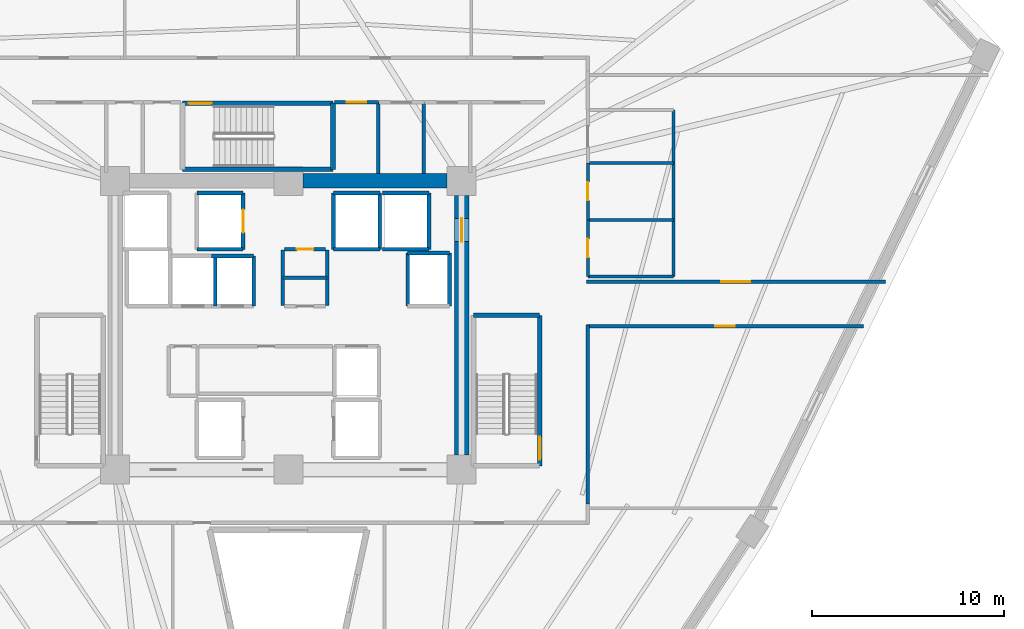
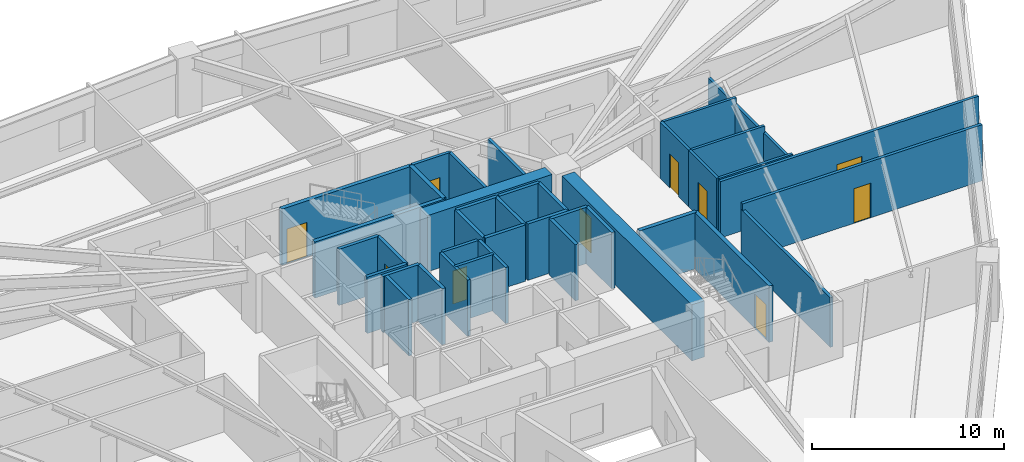
# One storey, part 6 of 9: 39 walls, 10 doors, 10 openings.
"""IFC4 building model written with IfcOpenShell, lengths in metres."""

from ifc_helpers import new_model, si_unit, direction, frame, frame_2d, origin, place, context, subcontext, project, spatial, rectangle, extrude, source, transform, mapped, material, layer, layer_set, type_object, element, fill, save


model = new_model("IFC4")

# Units and contexts
model_context = context("Model", 3, precision=1e-05, world=origin(), true_north=direction((0.0, 1.0)))
body_context = subcontext(model_context, "Body", "Model", "MODEL_VIEW")
ifc_project = project(units=[si_unit("LENGTHUNIT", "METRE"), si_unit("AREAUNIT", "SQUARE_METRE"), si_unit("VOLUMEUNIT", "CUBIC_METRE"), si_unit("PLANEANGLEUNIT", "RADIAN"), si_unit("MASSUNIT", "GRAM", prefix="KILO")], contexts=[model_context])

# Site, building, storey
site_placement = place(None, origin())
site = spatial("IfcSite", under=ifc_project, at=site_placement, CompositionType="ELEMENT")
building_placement = place(site_placement, origin())
building = spatial("IfcBuilding", under=site, at=building_placement, Name="Liaohun Quay Tower", CompositionType="ELEMENT")
storey_placement = place(building_placement, frame((0.0, 0.0, 132.0)))
storey = spatial("IfcBuildingStorey", under=building, at=storey_placement, Name="L34", CompositionType="ELEMENT", Elevation=132.0)

# Wall
ifc_material_1 = material(Name="Concrete C60", Category="concrete")
ifc_layer_1 = layer(ifc_material_1, 0.75, Name="Concrete C60", Category="concrete")
ifc_layer_set_1 = layer_set([ifc_layer_1], Name="Concrete C60")
wall_type_1 = type_object("IfcWallType", Name="WAL-COR-Z2", PredefinedType="SHEAR", material=ifc_layer_set_1)
wall_1_placement = place(storey_placement, frame((60.75, 61.5, 0.0), z_axis=(0.0, 0.0, 1.0), x_axis=(1.0, 0.0, 0.0)))
element("IfcWall", 1, at=wall_1_placement, inside=storey, type_object=wall_type_1, Name="L34 Central Core Shear Wall N-E", PredefinedType="SHEAR", context=body_context, shape_type="SweptSolid", body=[
    extrude(rectangle(XDim=7.5, YDim=0.75, at=frame_2d((3.75, 0.0))), origin(), (0.0, 0.0, 1.0), 3.570068359375),
])

# Wall, opening, door
wall_2_placement = place(storey_placement, frame((69.0, 60.75, 0.0), z_axis=(0.0, 0.0, 1.0), x_axis=(0.0, -1.0, 0.0)))
wall_2 = element("IfcWall", 2, at=wall_2_placement, inside=storey, type_object=wall_type_1, Name="L34 Central Core Shear Wall E", PredefinedType="SHEAR", context=body_context, shape_type="SweptSolid", body=[
    extrude(rectangle(XDim=13.5, YDim=0.75, at=frame_2d((6.75, 0.0))), origin(), (0.0, 0.0, 1.0), 3.570068359375),
])
shared_shape_1 = source(origin(), body_context, "Body", "SweptSolid", [
    extrude(rectangle(XDim=1.199951171875, YDim=2.199951171875, at=frame_2d((0.60009765625, 1.10009765625))), frame((0.0, 0.385009765625, 0.0), z_axis=(0.0, -1.0, 0.0), x_axis=(1.0, 0.0, 0.0)), (0.0, 0.0, 1.0), 0.77001953125),
])
opening_1_placement = place(wall_2_placement, frame((1.199951171875, 0.0, 0.0)))
opening_1 = element("IfcOpeningElement", 3, at=opening_1_placement, cuts=wall_2, Name="Opening SD1", PredefinedType="OPENING", context=body_context, shape_type="MappedRepresentation", body=[
    mapped(shared_shape_1, transform((0.0, 0.0, 0.0), x_axis=(1.0, 0.0, 0.0), y_axis=(0.0, 1.0, 0.0), z_axis=(0.0, 0.0, 1.0), scale=1.0)),
])
ifc_material_2 = material(Name="Galvanised steel fire door", Category="steel")
door_type_1 = type_object("IfcDoorType", Name="DOR-STR-1200", OperationType="NOTDEFINED", PredefinedType="DOOR", material=ifc_material_2)
shared_shape_2 = source(origin(), body_context, "Body", "SweptSolid", [
    extrude(rectangle(XDim=1.199951171875, YDim=2.199951171875, at=frame_2d((0.60009765625, 1.10009765625))), frame((0.0, 0.02490234375, 0.0), z_axis=(0.0, -1.0, 0.0), x_axis=(1.0, 0.0, 0.0)), (0.0, 0.0, 1.0), 0.050048828125),
])
door_1_placement = place(opening_1_placement, origin())
door_1 = element("IfcDoor", 4, at=door_1_placement, inside=storey, type_object=door_type_1, Name="L34 North-East Core Lobby Smokeproof Door", OperationType="SINGLE_SWING_LEFT", OverallHeight=2.199951171875, OverallWidth=1.199951171875, PredefinedType="DOOR", context=body_context, shape_type="MappedRepresentation", body=[
    mapped(shared_shape_2, transform((0.0, 0.0, 0.0), x_axis=(1.0, 0.0, 0.0), y_axis=(0.0, 1.0, 0.0), z_axis=(0.0, 0.0, 1.0), scale=1.0)),
])
fill(opening_1, door_1)

ifc_material_3 = material(Name="Autoclaved aerated concrete blockwork", Category="masonry")
ifc_layer_2 = layer(ifc_material_3, 0.179931640625, Name="Autoclaved aerated concrete blockwork", Category="masonry")
ifc_layer_set_2 = layer_set([ifc_layer_2], Name="Autoclaved aerated concrete blockwork")
wall_type_2 = type_object("IfcWallType", Name="WAL-PRT-COR", PredefinedType="PARTITIONING", material=ifc_layer_set_2)
wall_3_placement = place(storey_placement, frame((59.81005859375, 57.949951171875, 0.0), z_axis=(0.0, 0.0, 1.0), x_axis=(1.0, 0.0, 0.0)))
wall_3 = element("IfcWall", 5, at=wall_3_placement, inside=storey, type_object=wall_type_2, Name="L34 Interior Partition Wall 003", PredefinedType="PARTITIONING", context=body_context, shape_type="SweptSolid", body=[
    extrude(rectangle(XDim=2.10986328125, YDim=0.179931640625, at=frame_2d((1.054931640625, 0.0))), origin(), (0.0, 0.0, 1.0), 3.570068359375),
])
shared_shape_3 = source(origin(), body_context, "Body", "SweptSolid", [
    extrude(rectangle(XDim=0.85009765625, YDim=2.10009765625, at=frame_2d((0.425048828125, 1.050048828125))), frame((0.0, 0.099853515625, 0.0), z_axis=(0.0, -1.0, 0.0), x_axis=(1.0, 0.0, 0.0)), (0.0, 0.0, 1.0), 0.199951171875),
])
opening_2_placement = place(wall_3_placement, frame((0.635009765625, 0.0, 0.0)))
opening_2 = element("IfcOpeningElement", 6, at=opening_2_placement, cuts=wall_3, Name="Opening AD1", PredefinedType="OPENING", context=body_context, shape_type="MappedRepresentation", body=[
    mapped(shared_shape_3, transform((0.0, 0.0, 0.0), x_axis=(1.0, 0.0, 0.0), y_axis=(0.0, 1.0, 0.0), z_axis=(0.0, 0.0, 1.0), scale=1.0)),
])
ifc_material_4 = material(Name="Steel riser inspection fire door", Category="steel")
door_type_2 = type_object("IfcDoorType", Name="DOR-SHF-850", OperationType="NOTDEFINED", PredefinedType="DOOR", material=ifc_material_4)
shared_shape_4 = source(origin(), body_context, "Body", "SweptSolid", [
    extrude(rectangle(XDim=0.85009765625, YDim=2.10009765625, at=frame_2d((0.425048828125, 1.050048828125))), frame((0.0, 0.02490234375, 0.0), z_axis=(0.0, -1.0, 0.0), x_axis=(1.0, 0.0, 0.0)), (0.0, 0.0, 1.0), 0.050048828125),
])
door_2_placement = place(opening_2_placement, origin())
door_2 = element("IfcDoor", 7, at=door_2_placement, inside=storey, type_object=door_type_2, Name="L34 Telecom Comms Closet Door", OperationType="SINGLE_SWING_RIGHT", OverallHeight=2.10009765625, OverallWidth=0.85009765625, PredefinedType="DOOR", context=body_context, shape_type="MappedRepresentation", body=[
    mapped(shared_shape_4, transform((0.0, 0.0, 0.0), x_axis=(1.0, 0.0, 0.0), y_axis=(0.0, 1.0, 0.0), z_axis=(0.0, 0.0, 1.0), scale=1.0)),
])
fill(opening_2, door_2)

wall_4_placement = place(storey_placement, frame((62.389892578125, 65.580078125, 0.0), z_axis=(0.0, 0.0, 1.0), x_axis=(1.0, 0.0, 0.0)))
wall_4 = element("IfcWall", 8, at=wall_4_placement, inside=storey, type_object=wall_type_2, Name="L34 Interior Partition Wall 010", PredefinedType="PARTITIONING", context=body_context, shape_type="SweptSolid", body=[
    extrude(rectangle(XDim=2.2900390625, YDim=0.179931640625, at=frame_2d((1.14501953125, 0.0))), origin(), (0.0, 0.0, 1.0), 3.570068359375),
])
shared_shape_5 = source(origin(), body_context, "Body", "SweptSolid", [
    extrude(rectangle(XDim=1.0, YDim=2.199951171875, at=frame_2d((0.5, 1.10009765625))), frame((0.0, 0.099853515625, 0.0), z_axis=(0.0, -1.0, 0.0), x_axis=(1.0, 0.0, 0.0)), (0.0, 0.0, 1.0), 0.199951171875),
])
opening_3_placement = place(wall_4_placement, frame((0.64501953125, 0.0, 0.0)))
opening_3 = element("IfcOpeningElement", 9, at=opening_3_placement, cuts=wall_4, Name="Opening OD1", PredefinedType="OPENING", context=body_context, shape_type="MappedRepresentation", body=[
    mapped(shared_shape_5, transform((0.0, 0.0, 0.0), x_axis=(1.0, 0.0, 0.0), y_axis=(0.0, 1.0, 0.0), z_axis=(0.0, 0.0, 1.0), scale=1.0)),
])
ifc_material_5 = material(Name="Solid-core oak veneer timber leaf in steel frame", Category="steel")
door_type_3 = type_object("IfcDoorType", Name="DOR-OFF-1000", OperationType="NOTDEFINED", PredefinedType="DOOR", material=ifc_material_5)
shared_shape_6 = source(origin(), body_context, "Body", "SweptSolid", [
    extrude(rectangle(XDim=1.0, YDim=2.199951171875, at=frame_2d((0.5, 1.10009765625))), frame((0.0, 0.02490234375, 0.0), z_axis=(0.0, -1.0, 0.0), x_axis=(1.0, 0.0, 0.0)), (0.0, 0.0, 1.0), 0.050048828125),
])
door_3_placement = place(opening_3_placement, origin())
door_3 = element("IfcDoor", 10, at=door_3_placement, inside=storey, type_object=door_type_3, Name="L34 North-East Mail Store Door", OperationType="SINGLE_SWING_LEFT", OverallHeight=2.199951171875, OverallWidth=1.0, PredefinedType="DOOR", context=body_context, shape_type="MappedRepresentation", body=[
    mapped(shared_shape_6, transform((0.0, 0.0, 0.0), x_axis=(1.0, 0.0, 0.0), y_axis=(0.0, 1.0, 0.0), z_axis=(0.0, 0.0, 1.0), scale=1.0)),
])
fill(opening_3, door_3)

wall_5_placement = place(storey_placement, frame((75.489990234375, 56.260009765625, 0.0), z_axis=(0.0, 0.0, 1.0), x_axis=(1.0, 0.0, 0.0)))
wall_5 = element("IfcWall", 11, at=wall_5_placement, inside=storey, type_object=wall_type_2, Name="L34 Interior Partition Wall 015", PredefinedType="PARTITIONING", context=body_context, shape_type="SweptSolid", body=[
    extrude(rectangle(XDim=15.52392578125, YDim=0.179931640625, at=frame_2d((7.761962890625, 0.0))), origin(), (0.0, 0.0, 1.0), 3.570068359375),
])
shared_shape_7 = source(origin(), body_context, "Body", "SweptSolid", [
    extrude(rectangle(XDim=1.5, YDim=2.199951171875, at=frame_2d((0.75, 1.10009765625))), frame((0.0, 0.099853515625, 0.0), z_axis=(0.0, -1.0, 0.0), x_axis=(1.0, 0.0, 0.0)), (0.0, 0.0, 1.0), 0.199951171875),
])
opening_4_placement = place(wall_5_placement, frame((7.011962890625, 0.0, 0.0)))
opening_4 = element("IfcOpeningElement", 12, at=opening_4_placement, cuts=wall_5, Name="Opening OD2", PredefinedType="OPENING", context=body_context, shape_type="MappedRepresentation", body=[
    mapped(shared_shape_7, transform((0.0, 0.0, 0.0), x_axis=(1.0, 0.0, 0.0), y_axis=(0.0, 1.0, 0.0), z_axis=(0.0, 0.0, 1.0), scale=1.0)),
])
ifc_material_6 = material(Name="Acoustic oak veneer double door")
door_type_4 = type_object("IfcDoorType", Name="DOR-OFF-1500", OperationType="DOUBLE_DOOR_SINGLE_SWING", PredefinedType="DOOR", material=ifc_material_6)
shared_shape_8 = source(origin(), body_context, "Body", "SweptSolid", [
    extrude(rectangle(XDim=1.5, YDim=2.199951171875, at=frame_2d((0.75, 1.10009765625))), frame((0.0, 0.02490234375, 0.0), z_axis=(0.0, -1.0, 0.0), x_axis=(1.0, 0.0, 0.0)), (0.0, 0.0, 1.0), 0.050048828125),
])
door_4_placement = place(opening_4_placement, origin())
door_4 = element("IfcDoor", 13, at=door_4_placement, inside=storey, type_object=door_type_4, Name="L34 Technical Reference Library 01 Door", OperationType="DOUBLE_DOOR_SINGLE_SWING", OverallHeight=2.199951171875, OverallWidth=1.5, PredefinedType="DOOR", context=body_context, shape_type="MappedRepresentation", body=[
    mapped(shared_shape_8, transform((0.0, 0.0, 0.0), x_axis=(1.0, 0.0, 0.0), y_axis=(0.0, 1.0, 0.0), z_axis=(0.0, 0.0, 1.0), scale=1.0)),
])
fill(opening_4, door_4)

wall_6_placement = place(storey_placement, frame((89.883056640625, 53.93994140625, 0.0), z_axis=(0.0, 0.0, 1.0), x_axis=(-1.0, 0.0, 0.0)))
wall_6 = element("IfcWall", 14, at=wall_6_placement, inside=storey, type_object=wall_type_2, Name="L34 Interior Partition Wall 027", PredefinedType="PARTITIONING", context=body_context, shape_type="SweptSolid", body=[
    extrude(rectangle(XDim=14.39306640625, YDim=0.179931640625, at=frame_2d((7.196533203125, 0.0))), origin(), (0.0, 0.0, 1.0), 3.570068359375),
])
opening_5_placement = place(wall_6_placement, frame((6.697021484375, 0.0, 0.0)))
opening_5 = element("IfcOpeningElement", 15, at=opening_5_placement, cuts=wall_6, Name="Opening OD1", PredefinedType="OPENING", context=body_context, shape_type="MappedRepresentation", body=[
    mapped(shared_shape_5, transform((0.0, 0.0, 0.0), x_axis=(1.0, 0.0, 0.0), y_axis=(0.0, 1.0, 0.0), z_axis=(0.0, 0.0, 1.0), scale=1.0)),
])
door_5_placement = place(opening_5_placement, origin())
door_5 = element("IfcDoor", 16, at=door_5_placement, inside=storey, type_object=door_type_3, Name="L34 Regional Advisory Office 13 Door", OperationType="SINGLE_SWING_RIGHT", OverallHeight=2.199951171875, OverallWidth=1.0, PredefinedType="DOOR", context=body_context, shape_type="MappedRepresentation", body=[
    mapped(shared_shape_6, transform((0.0, 0.0, 0.0), x_axis=(1.0, 0.0, 0.0), y_axis=(0.0, 1.0, 0.0), z_axis=(0.0, 0.0, 1.0), scale=1.0)),
])
fill(opening_5, door_5)

# Walls
for number, where, z_axis, x_axis, name in (
    (17, (59.719970703125, 55.02001953125, 0.0), (0.0, 0.0, 1.0), (0.0, 1.0, 0.0), "L34 Interior Partition Wall 028"),
    (18, (62.010009765625, 55.02001953125, 0.0), (0.0, 0.0, 1.0), (0.0, 1.0, 0.0), "L34 Interior Partition Wall 029"),
):
    element("IfcWall", number, at=place(storey_placement, frame(where, z_axis=z_axis, x_axis=x_axis)), inside=storey, type_object=wall_type_2, Name=name, PredefinedType="PARTITIONING", context=body_context, shape_type="SweptSolid", body=[
        extrude(rectangle(XDim=2.8798828125, YDim=0.179931640625, at=frame_2d((1.43994140625, 0.0))), origin(), (0.0, 0.0, 1.0), 3.570068359375),
    ])
wall_7_placement = place(storey_placement, frame((59.719970703125, 56.4599609375, 0.0), z_axis=(0.0, 0.0, 1.0), x_axis=(1.0, 0.0, 0.0)))
element("IfcWall", 19, at=wall_7_placement, inside=storey, type_object=wall_type_2, Name="L34 Interior Partition Wall 030", PredefinedType="PARTITIONING", context=body_context, shape_type="SweptSolid", body=[
    extrude(rectangle(XDim=2.2900390625, YDim=0.179931640625, at=frame_2d((1.14501953125, 0.0))), origin(), (0.0, 0.0, 1.0), 3.570068359375),
])
for number, where, z_axis, x_axis, name in (
    (20, (64.679931640625, 61.875, 0.0), (0.0, 0.0, 1.0), (0.0, 1.0, 0.0), "L34 Interior Partition Wall 041"),
    (21, (67.0400390625, 61.875, 0.0), (0.0, 0.0, 1.0), (0.0, 1.0, 0.0), "L34 Interior Partition Wall 042"),
):
    element("IfcWall", number, at=place(storey_placement, frame(where, z_axis=z_axis, x_axis=x_axis)), inside=storey, type_object=wall_type_2, Name=name, PredefinedType="PARTITIONING", context=body_context, shape_type="SweptSolid", body=[
        extrude(rectangle(XDim=3.705078125, YDim=0.179931640625, at=frame_2d((1.8525390625, 0.0))), origin(), (0.0, 0.0, 1.0), 3.570068359375),
    ])
wall_8_placement = place(storey_placement, frame((75.56005859375, 54.010009765625, 0.0), z_axis=(0.0, 0.0, 1.0), x_axis=(0.0, -1.0, 0.0)))
element("IfcWall", 22, at=wall_8_placement, inside=storey, type_object=wall_type_2, Name="L34 Interior Partition Wall 051", PredefinedType="PARTITIONING", context=body_context, shape_type="SweptSolid", body=[
    extrude(rectangle(XDim=9.294921875, YDim=0.179931640625, at=frame_2d((4.6474609375, 0.0))), origin(), (0.0, 0.0, 1.0), 3.155029296875),
])

# Wall, opening, door
ifc_material_7 = material(Name="Moisture-resistant masonry blockwork", Category="masonry")
ifc_layer_3 = layer(ifc_material_7, 0.159912109375, Name="Moisture-resistant masonry blockwork", Category="masonry")
ifc_layer_set_3 = layer_set([ifc_layer_3], Name="Moisture-resistant masonry blockwork")
wall_type_3 = type_object("IfcWallType", Name="WAL-PRT-WET", PredefinedType="PARTITIONING", material=ifc_layer_set_3)
wall_9_placement = place(storey_placement, frame((75.56005859375, 56.5400390625, 0.0), z_axis=(0.0, 0.0, 1.0), x_axis=(0.0, 1.0, 0.0)))
wall_9 = element("IfcWall", 23, at=wall_9_placement, inside=storey, type_object=wall_type_3, Name="L34 Interior Partition Wall 005", PredefinedType="PARTITIONING", context=body_context, shape_type="SweptSolid", body=[
    extrude(rectangle(XDim=2.93994140625, YDim=0.159912109375, at=frame_2d((1.469970703125, 0.0))), origin(), (0.0, 0.0, 1.0), 3.570068359375),
])
shared_shape_9 = source(origin(), body_context, "Body", "SweptSolid", [
    extrude(rectangle(XDim=0.949951171875, YDim=2.14990234375, at=frame_2d((0.47509765625, 1.074951171875))), frame((0.0, 0.08984375, 0.0), z_axis=(0.0, -1.0, 0.0), x_axis=(1.0, 0.0, 0.0)), (0.0, 0.0, 1.0), 0.179931640625),
])
opening_6_placement = place(wall_9_placement, frame((0.9951171875, 0.0, 0.0)))
opening_6 = element("IfcOpeningElement", 24, at=opening_6_placement, cuts=wall_9, Name="Opening WD1", PredefinedType="OPENING", context=body_context, shape_type="MappedRepresentation", body=[
    mapped(shared_shape_9, transform((0.0, 0.0, 0.0), x_axis=(1.0, 0.0, 0.0), y_axis=(0.0, 1.0, 0.0), z_axis=(0.0, 0.0, 1.0), scale=1.0)),
])
ifc_material_8 = material(Name="Moisture-resistant laminate timber leaf", Category="wood")
door_type_5 = type_object("IfcDoorType", Name="DOR-WC-950", OperationType="NOTDEFINED", PredefinedType="DOOR", material=ifc_material_8)
shared_shape_10 = source(origin(), body_context, "Body", "SweptSolid", [
    extrude(rectangle(XDim=0.949951171875, YDim=2.14990234375, at=frame_2d((0.47509765625, 1.074951171875))), frame((0.0, 0.02490234375, 0.0), z_axis=(0.0, -1.0, 0.0), x_axis=(1.0, 0.0, 0.0)), (0.0, 0.0, 1.0), 0.050048828125),
])
door_6_placement = place(opening_6_placement, origin())
door_6 = element("IfcDoor", 25, at=door_6_placement, inside=storey, type_object=door_type_5, Name="L34 Male Restroom WC Door", OperationType="SINGLE_SWING_RIGHT", OverallHeight=2.14990234375, OverallWidth=0.949951171875, PredefinedType="DOOR", context=body_context, shape_type="MappedRepresentation", body=[
    mapped(shared_shape_10, transform((0.0, 0.0, 0.0), x_axis=(1.0, 0.0, 0.0), y_axis=(0.0, 1.0, 0.0), z_axis=(0.0, 0.0, 1.0), scale=1.0)),
])
fill(opening_6, door_6)

wall_10_placement = place(storey_placement, frame((75.56005859375, 59.47998046875, 0.0), z_axis=(0.0, 0.0, 1.0), x_axis=(0.0, 1.0, 0.0)))
wall_10 = element("IfcWall", 26, at=wall_10_placement, inside=storey, type_object=wall_type_3, Name="L34 Interior Partition Wall 006", PredefinedType="PARTITIONING", context=body_context, shape_type="SweptSolid", body=[
    extrude(rectangle(XDim=2.9599609375, YDim=0.159912109375, at=frame_2d((1.47998046875, 0.0))), origin(), (0.0, 0.0, 1.0), 3.570068359375),
])
opening_7_placement = place(wall_10_placement, frame((1.0048828125, 0.0, 0.0)))
opening_7 = element("IfcOpeningElement", 27, at=opening_7_placement, cuts=wall_10, Name="Opening WD1", PredefinedType="OPENING", context=body_context, shape_type="MappedRepresentation", body=[
    mapped(shared_shape_9, transform((0.0, 0.0, 0.0), x_axis=(1.0, 0.0, 0.0), y_axis=(0.0, 1.0, 0.0), z_axis=(0.0, 0.0, 1.0), scale=1.0)),
])
door_7_placement = place(opening_7_placement, origin())
door_7 = element("IfcDoor", 28, at=door_7_placement, inside=storey, type_object=door_type_5, Name="L34 Female Restroom WC Door", OperationType="SINGLE_SWING_LEFT", OverallHeight=2.14990234375, OverallWidth=0.949951171875, PredefinedType="DOOR", context=body_context, shape_type="MappedRepresentation", body=[
    mapped(shared_shape_10, transform((0.0, 0.0, 0.0), x_axis=(1.0, 0.0, 0.0), y_axis=(0.0, 1.0, 0.0), z_axis=(0.0, 0.0, 1.0), scale=1.0)),
])
fill(opening_7, door_7)

# Walls
wall_11_placement = place(storey_placement, frame((80.02001953125, 56.5400390625, 0.0), z_axis=(0.0, 0.0, 1.0), x_axis=(0.0, 1.0, 0.0)))
element("IfcWall", 29, at=wall_11_placement, inside=storey, type_object=wall_type_3, Name="L34 Interior Partition Wall 034", PredefinedType="PARTITIONING", context=body_context, shape_type="SweptSolid", body=[
    extrude(rectangle(XDim=8.639892578125, YDim=0.159912109375, at=frame_2d((4.31982421875, 0.0))), origin(), (0.0, 0.0, 1.0), 3.155029296875),
])
for number, where, z_axis, x_axis, name in (
    (30, (75.56005859375, 56.5400390625, 0.0), (0.0, 0.0, 1.0), (1.0, 0.0, 0.0), "L34 Interior Partition Wall 035"),
    (31, (75.56005859375, 59.47998046875, 0.0), (0.0, 0.0, 1.0), (1.0, 0.0, 0.0), "L34 Interior Partition Wall 036"),
    (32, (75.56005859375, 62.43994140625, 0.0), (0.0, 0.0, 1.0), (1.0, 0.0, 0.0), "L34 Interior Partition Wall 037"),
):
    element("IfcWall", number, at=place(storey_placement, frame(where, z_axis=z_axis, x_axis=x_axis)), inside=storey, type_object=wall_type_3, Name=name, PredefinedType="PARTITIONING", context=body_context, shape_type="SweptSolid", body=[
        extrude(rectangle(XDim=4.4599609375, YDim=0.159912109375, at=frame_2d((2.22998046875, 0.0))), origin(), (0.0, 0.0, 1.0), 3.570068359375),
    ])

# Wall, opening, door
ifc_material_9 = material(Name="Concrete C50", Category="concrete")
ifc_layer_4 = layer(ifc_material_9, 0.239990234375, Name="Concrete C50", Category="concrete")
ifc_layer_set_4 = layer_set([ifc_layer_4], Name="Concrete C50")
wall_type_4 = type_object("IfcWallType", Name="WAL-SHF-200", PredefinedType="SOLIDWALL", material=ifc_layer_set_4)
wall_12_placement = place(storey_placement, frame((73.06005859375, 46.699951171875, 0.0), z_axis=(0.0, 0.0, 1.0), x_axis=(0.0, 1.0, 0.0)))
wall_12 = element("IfcWall", 33, at=wall_12_placement, inside=storey, type_object=wall_type_4, Name="L34 Stairwell ST-2 Structural Core Wall E", PredefinedType="SOLIDWALL", context=body_context, shape_type="SweptSolid", body=[
    extrude(rectangle(XDim=7.820068359375, YDim=0.239990234375, at=frame_2d((3.91015625, 0.0))), origin(), (0.0, 0.0, 1.0), 3.570068359375),
])
shared_shape_11 = source(origin(), body_context, "Body", "SweptSolid", [
    extrude(rectangle(XDim=1.199951171875, YDim=2.199951171875, at=frame_2d((0.60009765625, 1.10009765625))), frame((0.0, 0.1298828125, 0.0), z_axis=(0.0, -1.0, 0.0), x_axis=(1.0, 0.0, 0.0)), (0.0, 0.0, 1.0), 0.260009765625),
])
opening_8_placement = place(wall_12_placement, frame((0.320068359375, 0.0, 0.0)))
opening_8 = element("IfcOpeningElement", 34, at=opening_8_placement, cuts=wall_12, Name="Opening SD1", PredefinedType="OPENING", context=body_context, shape_type="MappedRepresentation", body=[
    mapped(shared_shape_11, transform((0.0, 0.0, 0.0), x_axis=(1.0, 0.0, 0.0), y_axis=(0.0, 1.0, 0.0), z_axis=(0.0, 0.0, 1.0), scale=1.0)),
])
door_8_placement = place(opening_8_placement, origin())
door_8 = element("IfcDoor", 35, at=door_8_placement, inside=storey, type_object=door_type_1, Name="L34 Protected Stair ST-2 Fire Door", OperationType="SINGLE_SWING_RIGHT", OverallHeight=2.199951171875, OverallWidth=1.199951171875, PredefinedType="DOOR", context=body_context, shape_type="MappedRepresentation", body=[
    mapped(shared_shape_2, transform((0.0, 0.0, 0.0), x_axis=(1.0, 0.0, 0.0), y_axis=(0.0, 1.0, 0.0), z_axis=(0.0, 0.0, 1.0), scale=1.0)),
])
fill(opening_8, door_8)

# Walls
wall_13_placement = place(storey_placement, frame((73.06005859375, 54.52001953125, 0.0), z_axis=(0.0, 0.0, 1.0), x_axis=(-1.0, 0.0, 0.0)))
element("IfcWall", 36, at=wall_13_placement, inside=storey, type_object=wall_type_4, Name="L34 Stairwell ST-2 Structural Core Wall N", PredefinedType="SOLIDWALL", context=body_context, shape_type="SweptSolid", body=[
    extrude(rectangle(XDim=3.43994140625, YDim=0.239990234375, at=frame_2d((1.719970703125, 0.0))), origin(), (0.0, 0.0, 1.0), 3.570068359375),
])
wall_14_placement = place(storey_placement, frame((54.5, 62.10009765625, 0.0), z_axis=(0.0, 0.0, 1.0), x_axis=(1.0, 0.0, 0.0)))
element("IfcWall", 37, at=wall_14_placement, inside=storey, type_object=wall_type_4, Name="L34 Stairwell ST-3 Structural Core Wall S", PredefinedType="SOLIDWALL", context=body_context, shape_type="SweptSolid", body=[
    extrude(rectangle(XDim=7.820068359375, YDim=0.239990234375, at=frame_2d((3.91015625, 0.0))), origin(), (0.0, 0.0, 1.0), 3.570068359375),
])
wall_15_placement = place(storey_placement, frame((62.320068359375, 62.10009765625, 0.0), z_axis=(0.0, 0.0, 1.0), x_axis=(0.0, 1.0, 0.0)))
element("IfcWall", 38, at=wall_15_placement, inside=storey, type_object=wall_type_4, Name="L34 Stairwell ST-3 Structural Core Wall E", PredefinedType="SOLIDWALL", context=body_context, shape_type="SweptSolid", body=[
    extrude(rectangle(XDim=3.43994140625, YDim=0.239990234375, at=frame_2d((1.719970703125, 0.0))), origin(), (0.0, 0.0, 1.0), 3.570068359375),
])

# Wall, opening, door
wall_16_placement = place(storey_placement, frame((62.320068359375, 65.5400390625, 0.0), z_axis=(0.0, 0.0, 1.0), x_axis=(-1.0, 0.0, 0.0)))
wall_16 = element("IfcWall", 39, at=wall_16_placement, inside=storey, type_object=wall_type_4, Name="L34 Stairwell ST-3 Structural Core Wall N", PredefinedType="SOLIDWALL", context=body_context, shape_type="SweptSolid", body=[
    extrude(rectangle(XDim=7.820068359375, YDim=0.239990234375, at=frame_2d((3.91015625, 0.0))), origin(), (0.0, 0.0, 1.0), 3.570068359375),
])
opening_9_placement = place(wall_16_placement, frame((6.300048828125, 0.0, 0.0)))
opening_9 = element("IfcOpeningElement", 40, at=opening_9_placement, cuts=wall_16, Name="Opening SD1", PredefinedType="OPENING", context=body_context, shape_type="MappedRepresentation", body=[
    mapped(shared_shape_11, transform((0.0, 0.0, 0.0), x_axis=(1.0, 0.0, 0.0), y_axis=(0.0, 1.0, 0.0), z_axis=(0.0, 0.0, 1.0), scale=1.0)),
])
door_9_placement = place(opening_9_placement, origin())
door_9 = element("IfcDoor", 41, at=door_9_placement, inside=storey, type_object=door_type_1, Name="L34 Protected Stair ST-3 Fire Door", OperationType="SINGLE_SWING_RIGHT", OverallHeight=2.199951171875, OverallWidth=1.199951171875, PredefinedType="DOOR", context=body_context, shape_type="MappedRepresentation", body=[
    mapped(shared_shape_2, transform((0.0, 0.0, 0.0), x_axis=(1.0, 0.0, 0.0), y_axis=(0.0, 1.0, 0.0), z_axis=(0.0, 0.0, 1.0), scale=1.0)),
])
fill(opening_9, door_9)

# Wall
wall_17_placement = place(storey_placement, frame((55.25, 57.949951171875, 0.0), z_axis=(0.0, 0.0, 1.0), x_axis=(1.0, 0.0, 0.0)))
element("IfcWall", 42, at=wall_17_placement, inside=storey, type_object=wall_type_4, Name="L34 Lift FF-03 Hoistway Wall S", PredefinedType="SOLIDWALL", context=body_context, shape_type="SweptSolid", body=[
    extrude(rectangle(XDim=2.39990234375, YDim=0.199951171875, at=frame_2d((1.199951171875, 0.0))), origin(), (0.0, 0.0, 1.0), 3.570068359375),
])

# Wall, opening, door
wall_18_placement = place(storey_placement, frame((57.64990234375, 57.949951171875, 0.0), z_axis=(0.0, 0.0, 1.0), x_axis=(0.0, 1.0, 0.0)))
wall_18 = element("IfcWall", 43, at=wall_18_placement, inside=storey, type_object=wall_type_4, Name="L34 Lift FF-03 Hoistway Wall E", PredefinedType="SOLIDWALL", context=body_context, shape_type="SweptSolid", body=[
    extrude(rectangle(XDim=2.929931640625, YDim=0.199951171875, at=frame_2d((1.46484375, 0.0))), origin(), (0.0, 0.0, 1.0), 3.570068359375),
])
shared_shape_12 = source(origin(), body_context, "Body", "SweptSolid", [
    extrude(rectangle(XDim=1.199951171875, YDim=2.300048828125, at=frame_2d((0.60009765625, 1.14990234375))), frame((0.0, 0.10986328125, 0.0), z_axis=(0.0, -1.0, 0.0), x_axis=(1.0, 0.0, 0.0)), (0.0, 0.0, 1.0), 0.219970703125),
])
opening_10_placement = place(wall_18_placement, frame((0.864990234375, 0.0, 0.0)))
opening_10 = element("IfcOpeningElement", 44, at=opening_10_placement, cuts=wall_18, Name="Opening LD2", PredefinedType="OPENING", context=body_context, shape_type="MappedRepresentation", body=[
    mapped(shared_shape_12, transform((0.0, 0.0, 0.0), x_axis=(1.0, 0.0, 0.0), y_axis=(0.0, 1.0, 0.0), z_axis=(0.0, 0.0, 1.0), scale=1.0)),
])
ifc_material_10 = material(Name="Brushed stainless steel stretcher landing door", Category="steel")
door_type_6 = type_object("IfcDoorType", Name="DOR-LFT-1200", OperationType="SLIDING_TO_LEFT", PredefinedType="DOOR", material=ifc_material_10)
shared_shape_13 = source(origin(), body_context, "Body", "SweptSolid", [
    extrude(rectangle(XDim=1.199951171875, YDim=2.300048828125, at=frame_2d((0.60009765625, 1.14990234375))), frame((0.0, 0.02490234375, 0.0), z_axis=(0.0, -1.0, 0.0), x_axis=(1.0, 0.0, 0.0)), (0.0, 0.0, 1.0), 0.050048828125),
])
door_10_placement = place(opening_10_placement, origin())
door_10 = element("IfcDoor", 45, at=door_10_placement, inside=storey, type_object=door_type_6, Name="L34 Lift FF-03 Sliding Landing Door", OperationType="SLIDING_TO_LEFT", OverallHeight=2.300048828125, OverallWidth=1.199951171875, PredefinedType="DOOR", context=body_context, shape_type="MappedRepresentation", body=[
    mapped(shared_shape_13, transform((0.0, 0.0, 0.0), x_axis=(1.0, 0.0, 0.0), y_axis=(0.0, 1.0, 0.0), z_axis=(0.0, 0.0, 1.0), scale=1.0)),
])
fill(opening_10, door_10)

# Walls
for number, where, z_axis, x_axis, name in (
    (46, (57.64990234375, 60.8798828125, 0.0), (0.0, 0.0, 1.0), (-1.0, 0.0, 0.0), "L34 Lift FF-03 Hoistway Wall N"),
    (47, (62.35009765625, 57.949951171875, 0.0), (0.0, 0.0, 1.0), (1.0, 0.0, 0.0), "L34 Lift OB-01 Hoistway Wall S"),
):
    element("IfcWall", number, at=place(storey_placement, frame(where, z_axis=z_axis, x_axis=x_axis)), inside=storey, type_object=wall_type_4, Name=name, PredefinedType="SOLIDWALL", context=body_context, shape_type="SweptSolid", body=[
        extrude(rectangle(XDim=2.39990234375, YDim=0.199951171875, at=frame_2d((1.199951171875, 0.0))), origin(), (0.0, 0.0, 1.0), 3.570068359375),
    ])
wall_19_placement = place(storey_placement, frame((64.75, 57.949951171875, 0.0), z_axis=(0.0, 0.0, 1.0), x_axis=(0.0, 1.0, 0.0)))
element("IfcWall", 48, at=wall_19_placement, inside=storey, type_object=wall_type_4, Name="L34 Lift OB-01 Hoistway Wall E", PredefinedType="SOLIDWALL", context=body_context, shape_type="SweptSolid", body=[
    extrude(rectangle(XDim=2.929931640625, YDim=0.199951171875, at=frame_2d((1.46484375, 0.0))), origin(), (0.0, 0.0, 1.0), 3.570068359375),
])
wall_20_placement = place(storey_placement, frame((64.75, 60.8798828125, 0.0), z_axis=(0.0, 0.0, 1.0), x_axis=(-1.0, 0.0, 0.0)))
element("IfcWall", 49, at=wall_20_placement, inside=storey, type_object=wall_type_4, Name="L34 Lift OB-01 Hoistway Wall N", PredefinedType="SOLIDWALL", context=body_context, shape_type="SweptSolid", body=[
    extrude(rectangle(XDim=2.39990234375, YDim=0.199951171875, at=frame_2d((1.199951171875, 0.0))), origin(), (0.0, 0.0, 1.0), 3.570068359375),
])
wall_21_placement = place(storey_placement, frame((62.35009765625, 60.8798828125, 0.0), z_axis=(0.0, 0.0, 1.0), x_axis=(0.0, -1.0, 0.0)))
element("IfcWall", 50, at=wall_21_placement, inside=storey, type_object=wall_type_4, Name="L34 Lift OB-01 Hoistway Wall W", PredefinedType="SOLIDWALL", context=body_context, shape_type="SweptSolid", body=[
    extrude(rectangle(XDim=2.929931640625, YDim=0.199951171875, at=frame_2d((1.46484375, 0.0))), origin(), (0.0, 0.0, 1.0), 3.570068359375),
])
wall_22_placement = place(storey_placement, frame((64.89990234375, 57.949951171875, 0.0), z_axis=(0.0, 0.0, 1.0), x_axis=(1.0, 0.0, 0.0)))
element("IfcWall", 51, at=wall_22_placement, inside=storey, type_object=wall_type_4, Name="L34 Lift OB-02 Hoistway Wall S", PredefinedType="SOLIDWALL", context=body_context, shape_type="SweptSolid", body=[
    extrude(rectangle(XDim=2.400146484375, YDim=0.199951171875, at=frame_2d((1.2001953125, 0.0))), origin(), (0.0, 0.0, 1.0), 3.570068359375),
])
wall_23_placement = place(storey_placement, frame((67.300048828125, 57.949951171875, 0.0), z_axis=(0.0, 0.0, 1.0), x_axis=(0.0, 1.0, 0.0)))
element("IfcWall", 52, at=wall_23_placement, inside=storey, type_object=wall_type_4, Name="L34 Lift OB-02 Hoistway Wall E", PredefinedType="SOLIDWALL", context=body_context, shape_type="SweptSolid", body=[
    extrude(rectangle(XDim=2.929931640625, YDim=0.199951171875, at=frame_2d((1.46484375, 0.0))), origin(), (0.0, 0.0, 1.0), 3.570068359375),
])
wall_24_placement = place(storey_placement, frame((67.300048828125, 60.8798828125, 0.0), z_axis=(0.0, 0.0, 1.0), x_axis=(-1.0, 0.0, 0.0)))
element("IfcWall", 53, at=wall_24_placement, inside=storey, type_object=wall_type_4, Name="L34 Lift OB-02 Hoistway Wall N", PredefinedType="SOLIDWALL", context=body_context, shape_type="SweptSolid", body=[
    extrude(rectangle(XDim=2.400146484375, YDim=0.199951171875, at=frame_2d((1.2001953125, 0.0))), origin(), (0.0, 0.0, 1.0), 3.570068359375),
])
wall_25_placement = place(storey_placement, frame((68.3798828125, 55.0, 0.0), z_axis=(0.0, 0.0, 1.0), x_axis=(0.0, 1.0, 0.0)))
element("IfcWall", 54, at=wall_25_placement, inside=storey, type_object=wall_type_4, Name="L34 Lift SH-03 Hoistway Wall E", PredefinedType="SOLIDWALL", context=body_context, shape_type="SweptSolid", body=[
    extrude(rectangle(XDim=2.75, YDim=0.199951171875, at=frame_2d((1.375, 0.0))), origin(), (0.0, 0.0, 1.0), 3.570068359375),
])
wall_26_placement = place(storey_placement, frame((68.3798828125, 57.75, 0.0), z_axis=(0.0, 0.0, 1.0), x_axis=(-1.0, 0.0, 0.0)))
element("IfcWall", 55, at=wall_26_placement, inside=storey, type_object=wall_type_4, Name="L34 Lift SH-03 Hoistway Wall N", PredefinedType="SOLIDWALL", context=body_context, shape_type="SweptSolid", body=[
    extrude(rectangle(XDim=2.179931640625, YDim=0.199951171875, at=frame_2d((1.08984375, 0.0))), origin(), (0.0, 0.0, 1.0), 3.570068359375),
])
wall_27_placement = place(storey_placement, frame((66.199951171875, 57.75, 0.0), z_axis=(0.0, 0.0, 1.0), x_axis=(0.0, -1.0, 0.0)))
element("IfcWall", 56, at=wall_27_placement, inside=storey, type_object=wall_type_4, Name="L34 Lift SH-03 Hoistway Wall W", PredefinedType="SOLIDWALL", context=body_context, shape_type="SweptSolid", body=[
    extrude(rectangle(XDim=2.75, YDim=0.199951171875, at=frame_2d((1.375, 0.0))), origin(), (0.0, 0.0, 1.0), 3.570068359375),
])
for number, where, z_axis, x_axis, name in (
    (57, (56.199951171875, 55.0, 0.0), (0.0, 0.0, 1.0), (0.0, 1.0, 0.0), "L34 Lift PL-2B Hoistway Wall E"),
    (58, (58.199951171875, 55.0, 0.0), (0.0, 0.0, 1.0), (0.0, 1.0, 0.0), "L34 Lift PL-2C Hoistway Wall E"),
):
    element("IfcWall", number, at=place(storey_placement, frame(where, z_axis=z_axis, x_axis=x_axis)), inside=storey, type_object=wall_type_4, Name=name, PredefinedType="SOLIDWALL", context=body_context, shape_type="SweptSolid", body=[
        extrude(rectangle(XDim=2.60009765625, YDim=0.199951171875, at=frame_2d((1.300048828125, 0.0))), origin(), (0.0, 0.0, 1.0), 3.570068359375),
    ])
wall_28_placement = place(storey_placement, frame((58.199951171875, 57.60009765625, 0.0), z_axis=(0.0, 0.0, 1.0), x_axis=(-1.0, 0.0, 0.0)))
element("IfcWall", 59, at=wall_28_placement, inside=storey, type_object=wall_type_4, Name="L34 Lift PL-2C Hoistway Wall N", PredefinedType="SOLIDWALL", context=body_context, shape_type="SweptSolid", body=[
    extrude(rectangle(XDim=2.199951171875, YDim=0.199951171875, at=frame_2d((1.10009765625, 0.0))), origin(), (0.0, 0.0, 1.0), 3.570068359375),
])

save(model, "model.ifc")
